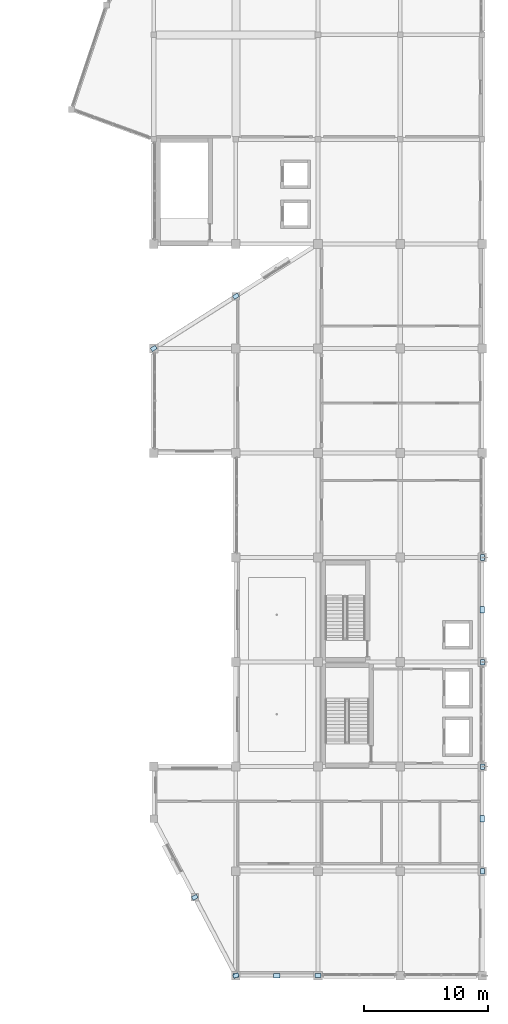
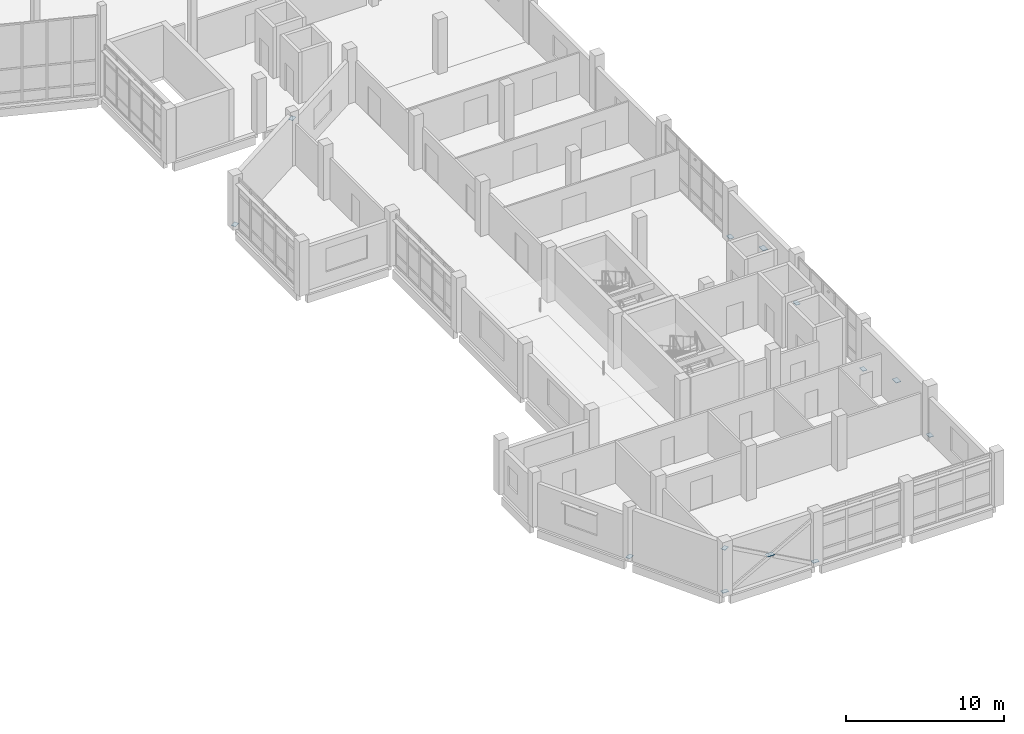
# One storey, part 56 of 78: 13 plates.
"""IFC4 building model written with IfcOpenShell, lengths in metres."""

from ifc_helpers import new_model, si_unit, direction, frame, origin, origin_2d, place, context, subcontext, project, spatial, rectangle, extrude, material, layer, layer_set, type_object, element, save


model = new_model("IFC4")

# Units and contexts
model_context = context("Model", 3, precision=1e-05, world=origin(), true_north=direction((0.0, 1.0)))
body_context = subcontext(model_context, "Body", "Model", "MODEL_VIEW")
ifc_project = project(units=[si_unit("LENGTHUNIT", "METRE"), si_unit("AREAUNIT", "SQUARE_METRE"), si_unit("VOLUMEUNIT", "CUBIC_METRE"), si_unit("PLANEANGLEUNIT", "RADIAN"), si_unit("MASSUNIT", "GRAM", prefix="KILO")], contexts=[model_context])

# Site, building, storey
site_placement = place(None, origin())
site = spatial("IfcSite", under=ifc_project, at=site_placement, CompositionType="ELEMENT")
building_placement = place(site_placement, origin())
building = spatial("IfcBuilding", under=site, at=building_placement, Name="Qaldarim Faculty of Natural and Applied Sciences", CompositionType="ELEMENT")
storey_placement = place(building_placement, frame((0.0, 0.0, 18.60009765625)))
storey = spatial("IfcBuildingStorey", under=building, at=storey_placement, Name="L04", CompositionType="ELEMENT", Elevation=18.60009765625)

# Plates
ifc_material = material(Name="Structural steel S355", Category="steel")
ifc_layer_1 = layer(ifc_material, 0.02001953125)
ifc_layer_set_1 = layer_set([ifc_layer_1], Name="Structural steel S355")
plate_type_1 = type_object("IfcPlateType", Name="GussetPlate-S355-450x320x20", PredefinedType="SHEET", material=ifc_layer_set_1)
for number, where, z_axis, x_axis, name in (
    (1, (158.39990234375, 0.0, 0.139892578125), (0.0, 0.0, 1.0), (1.0, 0.0, 0.0), "South diagrid L04 base gusset BL"),
    (2, (165.0, 0.0, 0.139892578125), (0.0, 0.0, 1.0), (1.0, 0.0, 0.0), "South diagrid L04 base gusset BR"),
    (3, (178.199951171875, 8.39990234375, 0.139892578125), (0.0, 0.0, 1.0), (0.0, 1.0, 0.0), "East diagrid L04 base gusset BL"),
    (4, (178.199951171875, 16.800048828125, 0.139892578125), (0.0, 0.0, 1.0), (0.0, 1.0, 0.0), "East diagrid L04 base gusset BR"),
    (5, (178.199951171875, 25.199951171875, 0.139892578125), (0.0, 0.0, 1.0), (0.0, 1.0, 0.0), "Upper east diagrid L04 base gusset BL"),
    (6, (178.199951171875, 33.60009765625, 0.139892578125), (0.0, 0.0, 1.0), (0.0, 1.0, 0.0), "Upper east diagrid L04 base gusset BR"),
    (7, (155.10009765625, 6.300048828125, 0.14990234375), (0.0, 0.0, 1.0), (0.882947592859, 0.469471562786, 0.0), "Oblique SW brace base plate L04 2"),
    (8, (158.39990234375, 0.0, 3.469970703125), (0.0, 0.0, 1.0), (0.882947592859, 0.469471562786, 0.0), "Oblique SW brace head plate L04 2"),
    (9, (151.800048828125, 50.39990234375, 0.14990234375), (0.0, 0.0, 1.0), (0.838670567945, 0.544639035015, 0.0), "Oblique NW brace base plate L04"),
    (10, (158.39990234375, 54.60009765625, 3.469970703125), (0.0, 0.0, 1.0), (0.838670567945, 0.544639035015, 0.0), "Oblique NW brace head plate L04"),
):
    element("IfcPlate", number, at=place(storey_placement, frame(where, z_axis=z_axis, x_axis=x_axis)), inside=storey, type_object=plate_type_1, Name=name, PredefinedType="SHEET", context=body_context, shape_type="SweptSolid", body=[
        extrude(rectangle(XDim=0.449951171875, YDim=0.320068359375, at=origin_2d()), origin(), (0.0, 0.0, 1.0), 0.02001953125),
    ])
ifc_layer_2 = layer(ifc_material, 0.030029296875)
ifc_layer_set_2 = layer_set([ifc_layer_2], Name="Structural steel S355")
plate_type_2 = type_object("IfcPlateType", Name="GussetPlate-S355-520x360x30", PredefinedType="SHEET", material=ifc_layer_set_2)
for number, where, z_axis, x_axis, name in (
    (11, (161.699951171875, 0.0, 1.8046875), (0.0, 0.0, 1.0), (1.0, 0.0, 0.0), "South diagrid L04 X-crossing gusset plate"),
    (12, (178.199951171875, 12.60009765625, 1.8046875), (0.0, 0.0, 1.0), (0.0, 1.0, 0.0), "East diagrid L04 X-crossing gusset plate"),
    (13, (178.199951171875, 29.39990234375, 1.8046875), (0.0, 0.0, 1.0), (0.0, 1.0, 0.0), "Upper east diagrid L04 X-crossing gusset plate"),
):
    element("IfcPlate", number, at=place(storey_placement, frame(where, z_axis=z_axis, x_axis=x_axis)), inside=storey, type_object=plate_type_2, Name=name, PredefinedType="SHEET", context=body_context, shape_type="SweptSolid", body=[
        extrude(rectangle(XDim=0.52001953125, YDim=0.360107421875, at=origin_2d()), origin(), (0.0, 0.0, 1.0), 0.030029296875),
    ])

save(model, "model.ifc")
